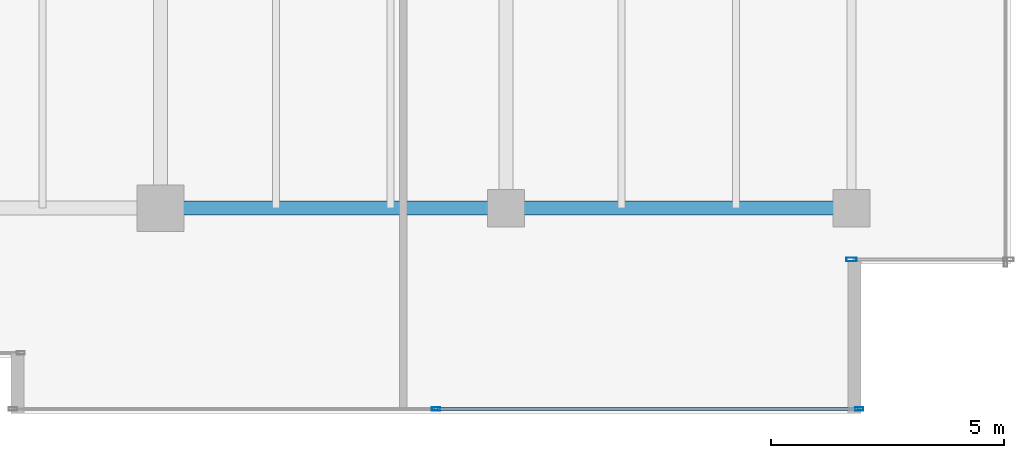
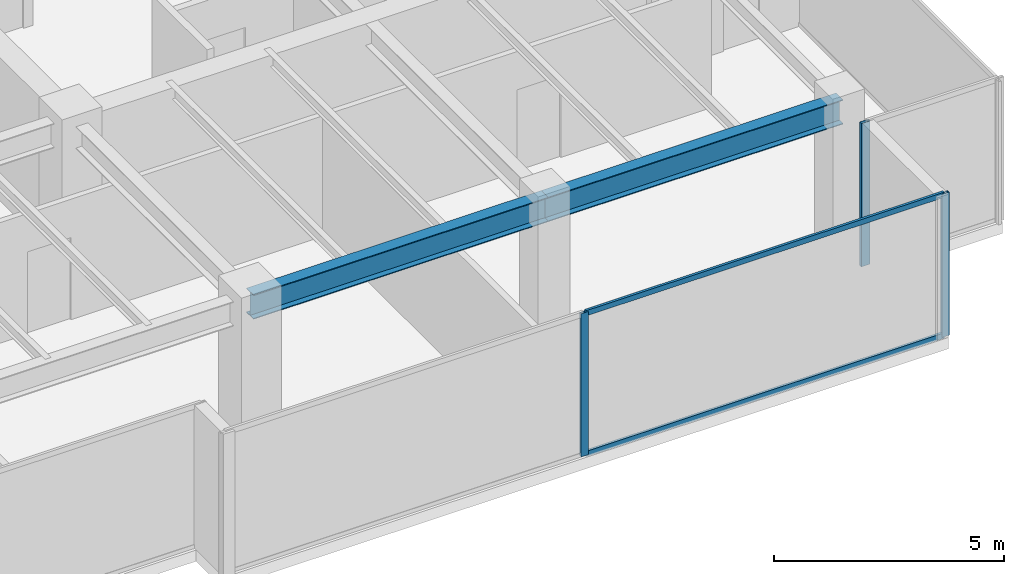
# One storey, part 13 of 33: 5 members, 2 beams, 2 elements without a shape of their own.
"""IFC4 building model written with IfcOpenShell, lengths in metres."""

from ifc_helpers import new_model, si_unit, direction, frame, origin, origin_2d, place, context, subcontext, project, spatial, hollow_rectangle, i_section, extrude, source, transform, mapped, material, layer, layer_set, material_profile, profile_set, type_object, type_shapes, element, aggregate, save


model = new_model("IFC4")

# Units and contexts
model_context = context("Model", 3, precision=1e-05, world=origin(), true_north=direction((0.0, 1.0)))
body_context = subcontext(model_context, "Body", "Model", "MODEL_VIEW")
ifc_project = project(units=[si_unit("LENGTHUNIT", "METRE"), si_unit("AREAUNIT", "SQUARE_METRE"), si_unit("VOLUMEUNIT", "CUBIC_METRE"), si_unit("PLANEANGLEUNIT", "RADIAN"), si_unit("MASSUNIT", "GRAM", prefix="KILO")], contexts=[model_context])

# Site, building, storey
site_placement = place(None, origin())
site = spatial("IfcSite", under=ifc_project, at=site_placement, CompositionType="ELEMENT")
building_placement = place(site_placement, origin())
building = spatial("IfcBuilding", under=site, at=building_placement, Name="Haelvirn Gate Laboratories", CompositionType="ELEMENT")
storey_placement = place(building_placement, frame((0.0, 0.0, 209.60009765625)))
storey = spatial("IfcBuildingStorey", under=building, at=storey_placement, Name="L50", CompositionType="ELEMENT", Elevation=209.60009765625)

# Beams
ifc_material_1 = material(Name="Steel SM355", Category="steel")
ifc_material_profile_1 = material_profile(ifc_material_1, i_section(OverallWidth=0.300048828125, OverallDepth=0.64990234375, WebThickness=0.012939453125, FlangeThickness=0.02197265625, at=origin_2d()), Name="H-650x300x13x22")
ifc_profile_set_1 = profile_set([ifc_material_profile_1], Name="Steel SM355")
beam_type = type_object("IfcBeamType", Name="BM-G-650", PredefinedType="BEAM", material=ifc_profile_set_1)
shared_shape_1 = source(origin(), body_context, "Body", "SweptSolid", [
    extrude(i_section(OverallWidth=0.300048828125, OverallDepth=0.64990234375, WebThickness=0.012939453125, FlangeThickness=0.02197265625, at=origin_2d()), origin(), (0.0, 0.0, 1.0), 7.39990234375),
])
type_shapes(beam_type, [shared_shape_1])
for number, where, z_axis, x_axis, name in (
    (1, (52.60009765625, 7.0, 3.474853515625), (1.0, 0.0, 0.0), (0.0, 1.0, 0.0), "L50 Primary Girder Y7.0 (52.6-60.0)"),
    (2, (60.0, 7.0, 3.474853515625), (1.0, 0.0, 0.0), (0.0, 1.0, 0.0), "L50 Primary Girder Y7.0 (60.0-67.4)"),
):
    element("IfcBeam", number, at=place(storey_placement, frame(where, z_axis=z_axis, x_axis=x_axis)), inside=storey, type_object=beam_type, Name=name, PredefinedType="BEAM", context=body_context, shape_type="MappedRepresentation", body=[
        mapped(shared_shape_1, transform((0.0, 0.0, 0.0), scale=1.0)),
    ])

# Curtain wall, members
ifc_material_2 = material(Name="Anodised bronze unitised aluminium & triple low-E glass", Category="aluminium")
ifc_layer_1 = layer(ifc_material_2, 0.176025390625, Name="CW-SYS-4")
ifc_layer_set_1 = layer_set([ifc_layer_1], Name="Anodised bronze unitised aluminium & triple low-E glass")
curtain_wall_type_1 = type_object("IfcCurtainWallType", Name="CW-SYS-4", PredefinedType="NOTDEFINED", material=ifc_layer_set_1)
curtain_wall_1_placement = place(storey_placement, origin())
curtain_wall_1 = element("IfcCurtainWall", 3, at=curtain_wall_1_placement, inside=storey, type_object=curtain_wall_type_1, Name="L50 Unitised Curtain Wall CW-L50-P0-E04-1", PredefinedType="NOTDEFINED")
ifc_material_3 = material(Name="Extruded aluminium 6063-T6 (anodised bronze)", Category="aluminium")
ifc_material_profile_2 = material_profile(ifc_material_3, hollow_rectangle(XDim=0.06494140625, YDim=0.139892578125, WallThickness=0.00390625, at=origin_2d()), Name="CWT-140x65x4")
ifc_profile_set_2 = profile_set([ifc_material_profile_2], Name="Extruded aluminium 6063-T6 (anodised bronze)")
member_type_1 = type_object("IfcMemberType", Name="CWT-T140", PredefinedType="USERDEFINED", material=ifc_profile_set_2)
shared_shape_2 = source(origin(), body_context, "Body", "SweptSolid", [
    extrude(hollow_rectangle(XDim=0.06494140625, YDim=0.139892578125, WallThickness=0.00390625, at=origin_2d()), origin(), (0.0, 0.0, 1.0), 8.9951171875),
])
type_shapes(member_type_1, [shared_shape_2])
member_1_placement = place(storey_placement, frame((58.534912109375, 2.699951171875, 0.032470703125), z_axis=(1.0, 0.0, 0.0), x_axis=(0.0, 1.0, 0.0)))
member_1 = element("IfcMember", 4, at=member_1_placement, type_object=member_type_1, Name="CW4 transom 2.1", ObjectType="TRANSOM", PredefinedType="USERDEFINED", context=body_context, shape_type="MappedRepresentation", body=[
    mapped(shared_shape_2, transform((0.0, 0.0, 0.0), scale=1.0)),
])
member_2_placement = place(storey_placement, frame((58.534912109375, 2.699951171875, 3.767333984375), z_axis=(1.0, 0.0, 0.0), x_axis=(0.0, 1.0, 0.0)))
member_2 = element("IfcMember", 5, at=member_2_placement, type_object=member_type_1, Name="CW4 transom 2.2", ObjectType="TRANSOM", PredefinedType="USERDEFINED", context=body_context, shape_type="MappedRepresentation", body=[
    mapped(shared_shape_2, transform((0.0, 0.0, 0.0), scale=1.0)),
])
ifc_material_profile_3 = material_profile(ifc_material_3, hollow_rectangle(XDim=0.070068359375, YDim=0.179931640625, WallThickness=0.0048828125, at=origin_2d()), Name="CWM-180x70x5")
ifc_profile_set_3 = profile_set([ifc_material_profile_3], Name="Extruded aluminium 6063-T6 (anodised bronze)")
member_type_2 = type_object("IfcMemberType", Name="CWM-T180", PredefinedType="MULLION", material=ifc_profile_set_3)
shared_shape_3 = source(origin(), body_context, "Body", "SweptSolid", [
    extrude(hollow_rectangle(XDim=0.070068359375, YDim=0.179931640625, WallThickness=0.0048828125, at=origin_2d()), origin(), (0.0, 0.0, 1.0), 3.7998046875),
])
type_shapes(member_type_2, [shared_shape_3])
member_3_placement = place(storey_placement, frame((58.5, 2.699951171875, 0.0), z_axis=(0.0, 0.0, 1.0), x_axis=(0.0, 1.0, 0.0)))
member_3 = element("IfcMember", 6, at=member_3_placement, type_object=member_type_2, Name="CW4 mullion 2", PredefinedType="MULLION", context=body_context, shape_type="MappedRepresentation", body=[
    mapped(shared_shape_3, transform((0.0, 0.0, 0.0), scale=1.0)),
])
member_4_placement = place(storey_placement, frame((67.56494140625, 2.699951171875, 0.0), z_axis=(0.0, 0.0, 1.0), x_axis=(0.0, 1.0, 0.0)))
member_4 = element("IfcMember", 7, at=member_4_placement, type_object=member_type_2, Name="CW4 mullion 3", PredefinedType="MULLION", context=body_context, shape_type="MappedRepresentation", body=[
    mapped(shared_shape_3, transform((0.0, 0.0, 0.0), scale=1.0)),
])
aggregate(curtain_wall_1, [member_3, member_4, member_1, member_2])

# Curtain wall, member
ifc_layer_2 = layer(ifc_material_2, 0.181884765625, Name="CW-SYS-5")
ifc_layer_set_2 = layer_set([ifc_layer_2], Name="Anodised bronze unitised aluminium & triple low-E glass")
curtain_wall_type_2 = type_object("IfcCurtainWallType", Name="CW-SYS-5", PredefinedType="NOTDEFINED", material=ifc_layer_set_2)
curtain_wall_2_placement = place(storey_placement, origin())
curtain_wall_2 = element("IfcCurtainWall", 8, at=curtain_wall_2_placement, inside=storey, type_object=curtain_wall_type_2, Name="L50 Unitised Curtain Wall CW-L50-P0-E06-1", PredefinedType="NOTDEFINED")
ifc_material_profile_4 = material_profile(ifc_material_3, hollow_rectangle(XDim=0.080078125, YDim=0.219970703125, WallThickness=0.006103515625, at=origin_2d()), Name="CWM-220x80x6")
ifc_profile_set_4 = profile_set([ifc_material_profile_4], Name="Extruded aluminium 6063-T6 (anodised bronze)")
member_type_3 = type_object("IfcMemberType", Name="CWM-T220", PredefinedType="MULLION", material=ifc_profile_set_4)
shared_shape_4 = source(origin(), body_context, "Body", "SweptSolid", [
    extrude(hollow_rectangle(XDim=0.080078125, YDim=0.219970703125, WallThickness=0.006103515625, at=origin_2d()), origin(), (0.0, 0.0, 1.0), 3.7998046875),
])
type_shapes(member_type_3, [shared_shape_4])
member_5_placement = place(storey_placement, frame((67.39990234375, 5.89990234375, 0.0), z_axis=(0.0, 0.0, 1.0), x_axis=(0.0, 1.0, 0.0)))
member_5 = element("IfcMember", 9, at=member_5_placement, type_object=member_type_3, Name="CW5 mullion 1", PredefinedType="MULLION", context=body_context, shape_type="MappedRepresentation", body=[
    mapped(shared_shape_4, transform((0.0, 0.0, 0.0), scale=1.0)),
])
aggregate(curtain_wall_2, [member_5])

save(model, "model.ifc")
